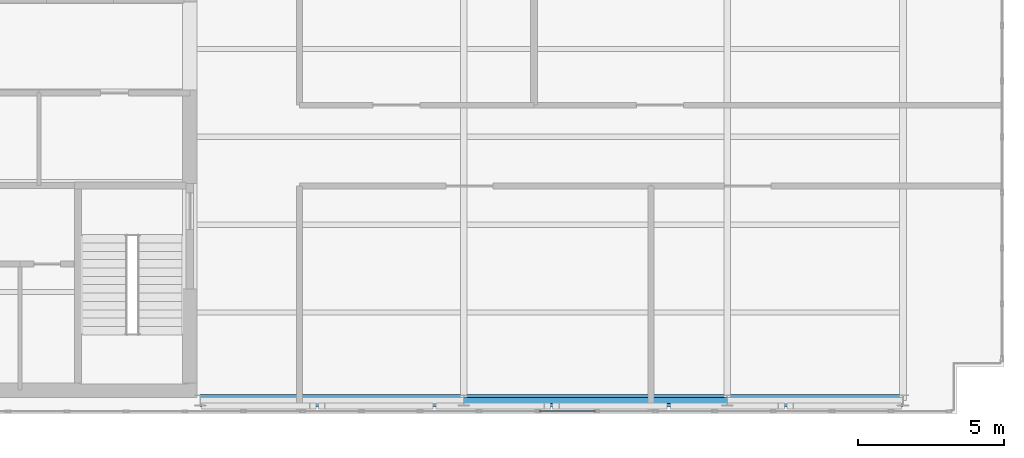
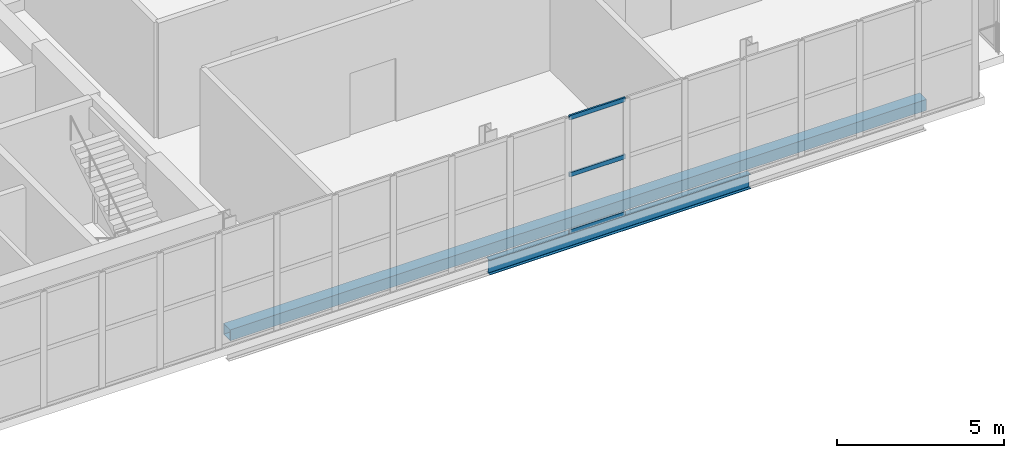
# One storey, part 7 of 21: 4 members, 1 beam, 1 element without a shape of its own.
"""IFC4 building model written with IfcOpenShell, lengths in metres."""

from ifc_helpers import new_model, si_unit, direction, frame, origin, origin_2d, place, context, subcontext, project, spatial, hollow_rectangle, i_section, extrude, material, layer, layer_set, material_profile, profile_set, type_object, element, aggregate, save


model = new_model("IFC4")

# Units and contexts
model_context = context("Model", 3, precision=1e-05, world=origin(), true_north=direction((0.0, 1.0)))
body_context = subcontext(model_context, "Body", "Model", "MODEL_VIEW")
ifc_project = project(units=[si_unit("LENGTHUNIT", "METRE"), si_unit("AREAUNIT", "SQUARE_METRE"), si_unit("VOLUMEUNIT", "CUBIC_METRE"), si_unit("PLANEANGLEUNIT", "RADIAN"), si_unit("MASSUNIT", "GRAM", prefix="KILO")], contexts=[model_context])

# Site, building, storey
site_placement = place(None, origin())
site = spatial("IfcSite", under=ifc_project, at=site_placement, CompositionType="ELEMENT")
building_placement = place(site_placement, origin())
building = spatial("IfcBuilding", under=site, at=building_placement, Name="Mawjdan Bourse Tower", CompositionType="ELEMENT")
storey_placement = place(building_placement, frame((0.0, 0.0, 313.199951171875)))
storey = spatial("IfcBuildingStorey", under=building, at=storey_placement, Name="L77", CompositionType="ELEMENT", Elevation=313.199951171875)

# Member
ifc_material_1 = material(Name="Structural Steel S460", Category="steel")
ifc_material_profile_1 = material_profile(ifc_material_1, hollow_rectangle(XDim=0.39990234375, YDim=0.39990234375, WallThickness=0.01611328125, at=origin_2d()), Name="HSS400X400X16")
ifc_profile_set_1 = profile_set([ifc_material_profile_1], Name="Structural Steel S460")
member_type_1 = type_object("IfcMemberType", Name="CHD-HSS400X400X16", PredefinedType="CHORD", material=ifc_profile_set_1)
member_1_placement = place(storey_placement, frame((24.0, 3.0, 0.199951171875), z_axis=(1.0, 0.0, 0.0), x_axis=(0.0, 1.0, 0.0)))
element("IfcMember", 1, at=member_1_placement, inside=storey, type_object=member_type_1, Name="L77 Lantern Crown Braced Frame South Bottom Chord", PredefinedType="CHORD", context=body_context, shape_type="SweptSolid", body=[
    extrude(hollow_rectangle(XDim=0.39990234375, YDim=0.39990234375, WallThickness=0.01611328125, at=origin_2d()), origin(), (0.0, 0.0, 1.0), 24.0),
])

# Beam
ifc_material_2 = material(Name="Structural Steel S355", Category="steel")
ifc_material_profile_2 = material_profile(ifc_material_2, i_section(OverallWidth=0.2099609375, OverallDepth=0.537109375, WebThickness=0.010986328125, FlangeThickness=0.017333984375, FilletRadius=0.013916015625, at=origin_2d()), Name="W21X68")
ifc_profile_set_2 = profile_set([ifc_material_profile_2], Name="Structural Steel S355")
beam_type = type_object("IfcBeamType", Name="SPN-W21X68", PredefinedType="SPANDREL", material=ifc_profile_set_2)
beam_placement = place(storey_placement, frame((33.0, 3.0, -0.54833984375), z_axis=(1.0, 0.0, 0.0), x_axis=(0.0, 1.0, 0.0)))
element("IfcBeam", 2, at=beam_placement, inside=storey, type_object=beam_type, Name="L77 Perimeter Masonry-Shelf Spandrel 006", PredefinedType="SPANDREL", context=body_context, shape_type="SweptSolid", body=[
    extrude(i_section(OverallWidth=0.2099609375, OverallDepth=0.537109375, WebThickness=0.010986328125, FlangeThickness=0.017333984375, FilletRadius=0.013916015625, at=origin_2d()), origin(), (0.0, 0.0, 1.0), 9.0),
])

# Curtain wall, members
ifc_material_3 = material(Name="Thermally Broken Aluminium and Solar Glass", Category="aluminium")
ifc_layer = layer(ifc_material_3, 0.219970703125)
ifc_layer_set = layer_set([ifc_layer], Name="Thermally Broken Aluminium and Solar Glass")
curtain_wall_type = type_object("IfcCurtainWallType", Name="CW-CRN", PredefinedType="USERDEFINED", material=ifc_layer_set)
curtain_wall_placement = place(storey_placement, origin())
curtain_wall = element("IfcCurtainWall", 3, at=curtain_wall_placement, inside=storey, type_object=curtain_wall_type, Name="L77 Lantern Crown South Curtain Wall", ObjectType="LANTERN GLAZED CROWN", PredefinedType="USERDEFINED")
ifc_material_4 = material(Name="Thermally Broken Anodised Aluminium", Category="aluminium")
ifc_material_profile_3 = material_profile(ifc_material_4, hollow_rectangle(XDim=0.06005859375, YDim=0.155029296875, WallThickness=0.00390625, at=origin_2d()), Name="ALU-TRN-155X60")
ifc_profile_set_3 = profile_set([ifc_material_profile_3], Name="Thermally Broken Anodised Aluminium")
member_type_2 = type_object("IfcMemberType", Name="TRN-ALU-TRN-155X60", PredefinedType="USERDEFINED", material=ifc_profile_set_3)
member_2_placement = place(storey_placement, frame((35.57080078125, 2.6298828125, 0.030029296875), z_axis=(1.0, 0.0, 0.0), x_axis=(0.0, 1.0, 0.0)))
member_2 = element("IfcMember", 4, at=member_2_placement, type_object=member_type_2, Name="CW-CRN-L77-CRN-S transom 15.1", ObjectType="TRANSOM", PredefinedType="USERDEFINED", context=body_context, shape_type="SweptSolid", body=[
    extrude(hollow_rectangle(XDim=0.06005859375, YDim=0.155029296875, WallThickness=0.00390625, at=origin_2d()), origin(), (0.0, 0.0, 1.0), 1.9345703125),
])
member_3_placement = place(storey_placement, frame((35.57080078125, 2.6298828125, 2.110107421875), z_axis=(1.0, 0.0, 0.0), x_axis=(0.0, 1.0, 0.0)))
member_3 = element("IfcMember", 5, at=member_3_placement, type_object=member_type_2, Name="CW-CRN-L77-CRN-S transom 15.2", ObjectType="TRANSOM", PredefinedType="USERDEFINED", context=body_context, shape_type="SweptSolid", body=[
    extrude(hollow_rectangle(XDim=0.06005859375, YDim=0.155029296875, WallThickness=0.00390625, at=origin_2d()), origin(), (0.0, 0.0, 1.0), 1.9345703125),
])
member_4_placement = place(storey_placement, frame((35.57080078125, 2.6298828125, 4.18994140625), z_axis=(1.0, 0.0, 0.0), x_axis=(0.0, 1.0, 0.0)))
member_4 = element("IfcMember", 6, at=member_4_placement, type_object=member_type_2, Name="CW-CRN-L77-CRN-S transom 15.3", ObjectType="TRANSOM", PredefinedType="USERDEFINED", context=body_context, shape_type="SweptSolid", body=[
    extrude(hollow_rectangle(XDim=0.06005859375, YDim=0.155029296875, WallThickness=0.00390625, at=origin_2d()), origin(), (0.0, 0.0, 1.0), 1.9345703125),
])
aggregate(curtain_wall, [member_2, member_3, member_4])

save(model, "model.ifc")
